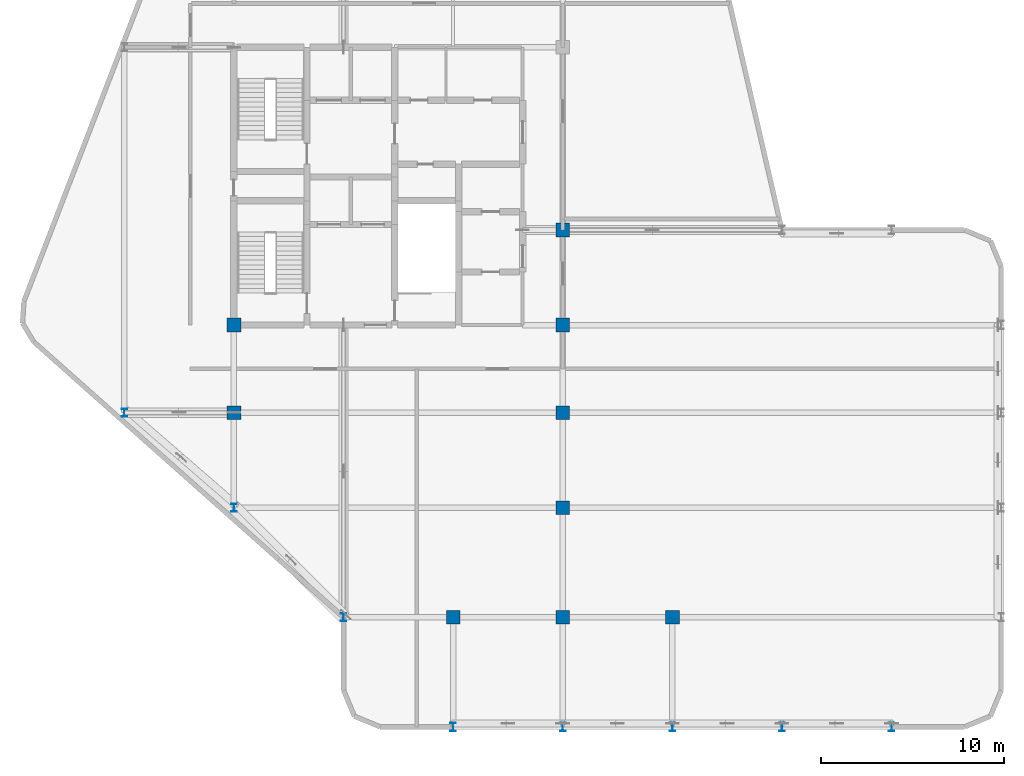
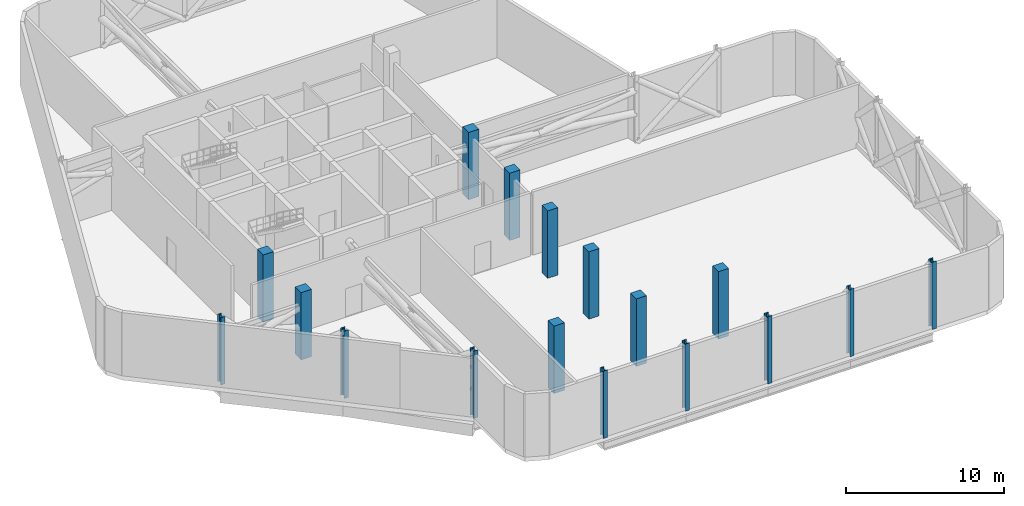
# One storey, part 1 of 12: 17 columns.
"""IFC4 building model written with IfcOpenShell, lengths in metres."""

from ifc_helpers import new_model, si_unit, direction, frame, origin, origin_2d, place, context, subcontext, project, spatial, rectangle, i_section, extrude, material, material_profile, profile_set, type_object, element, save


model = new_model("IFC4")

# Units and contexts
model_context = context("Model", 3, precision=1e-05, world=origin(), true_north=direction((0.0, 1.0)))
body_context = subcontext(model_context, "Body", "Model", "MODEL_VIEW")
ifc_project = project(units=[si_unit("LENGTHUNIT", "METRE"), si_unit("AREAUNIT", "SQUARE_METRE"), si_unit("VOLUMEUNIT", "CUBIC_METRE"), si_unit("PLANEANGLEUNIT", "RADIAN"), si_unit("MASSUNIT", "GRAM", prefix="KILO")], contexts=[model_context])

# Site, building, storey
site_placement = place(None, origin())
site = spatial("IfcSite", under=ifc_project, at=site_placement, CompositionType="ELEMENT")
building_placement = place(site_placement, origin())
building = spatial("IfcBuilding", under=site, at=building_placement, Name="Keshet Zoharim Tower", CompositionType="ELEMENT")
storey_placement = place(building_placement, frame((0.0, 0.0, 237.60009765625)))
storey = spatial("IfcBuildingStorey", under=building, at=storey_placement, Name="L59", CompositionType="ELEMENT", Elevation=237.60009765625)

# Columns
ifc_material_1 = material(Name="Steel S355", Category="steel")
ifc_material_profile_1 = material_profile(ifc_material_1, i_section(OverallWidth=0.300048828125, OverallDepth=0.449951171875, WebThickness=0.013916015625, FlangeThickness=0.02587890625, FilletRadius=0.027099609375, at=origin_2d()), Name="HEB450")
ifc_profile_set_1 = profile_set([ifc_material_profile_1], Name="Steel S355")
column_type_1 = type_object("IfcColumnType", Name="COL-HEB450", PredefinedType="COLUMN", material=ifc_profile_set_1)
for number, where, z_axis, x_axis, name in (
    (1, (9.0, 17.89990234375, 0.0), (0.0, 0.0, 1.0), (1.0, 0.0, 0.0), "L59 Column 2D"),
    (2, (15.0, 12.699951171875, 0.0), (0.0, 0.0, 1.0), (1.0, 0.0, 0.0), "L59 Column 3C"),
    (3, (21.0, 6.699951171875, 0.0), (0.0, 0.0, 1.0), (1.0, 0.0, 0.0), "L59 Column 4B"),
    (4, (27.0, 0.699951171875, 0.0), (0.0, 0.0, 1.0), (1.0, 0.0, 0.0), "L59 Column 5A"),
    (5, (33.0, 0.699951171875, 0.0), (0.0, 0.0, 1.0), (1.0, 0.0, 0.0), "L59 Column 6A"),
    (6, (39.0, 0.699951171875, 0.0), (0.0, 0.0, 1.0), (1.0, 0.0, 0.0), "L59 Column 7A"),
    (7, (45.0, 0.699951171875, 0.0), (0.0, 0.0, 1.0), (1.0, 0.0, 0.0), "L59 Column 8A"),
    (8, (51.0, 0.699951171875, 0.0), (0.0, 0.0, 1.0), (1.0, 0.0, 0.0), "L59 Column 9A"),
):
    element("IfcColumn", number, at=place(storey_placement, frame(where, z_axis=z_axis, x_axis=x_axis)), inside=storey, type_object=column_type_1, Name=name, PredefinedType="COLUMN", context=body_context, shape_type="SweptSolid", body=[
        extrude(i_section(OverallWidth=0.300048828125, OverallDepth=0.449951171875, WebThickness=0.013916015625, FlangeThickness=0.02587890625, FilletRadius=0.027099609375, at=origin_2d()), origin(), (0.0, 0.0, 1.0), 5.199951171875),
    ])
ifc_material_2 = material(Name="Concrete C50/60", Category="concrete")
ifc_material_profile_2 = material_profile(ifc_material_2, rectangle(XDim=0.75, YDim=0.75, at=origin_2d()), Name="RC750x750")
ifc_profile_set_2 = profile_set([ifc_material_profile_2], Name="Concrete C50/60")
column_type_2 = type_object("IfcColumnType", Name="COL-RC750", PredefinedType="COLUMN", material=ifc_profile_set_2)
for number, where, z_axis, x_axis, name in (
    (9, (15.0, 17.89990234375, 0.0), (0.0, 0.0, 1.0), (1.0, 0.0, 0.0), "L59 Column 3D"),
    (10, (15.0, 22.699951171875, 0.0), (0.0, 0.0, 1.0), (1.0, 0.0, 0.0), "L59 Column 3E"),
    (11, (27.0, 6.699951171875, 0.0), (0.0, 0.0, 1.0), (1.0, 0.0, 0.0), "L59 Column 5B"),
    (12, (33.0, 6.699951171875, 0.0), (0.0, 0.0, 1.0), (1.0, 0.0, 0.0), "L59 Column 6B"),
    (13, (33.0, 12.699951171875, 0.0), (0.0, 0.0, 1.0), (1.0, 0.0, 0.0), "L59 Column 6C"),
    (14, (33.0, 17.89990234375, 0.0), (0.0, 0.0, 1.0), (1.0, 0.0, 0.0), "L59 Column 6D"),
    (15, (33.0, 22.699951171875, 0.0), (0.0, 0.0, 1.0), (1.0, 0.0, 0.0), "L59 Column 6E"),
    (16, (33.0, 27.89990234375, 0.0), (0.0, 0.0, 1.0), (1.0, 0.0, 0.0), "L59 Column 6F"),
    (17, (39.0, 6.699951171875, 0.0), (0.0, 0.0, 1.0), (1.0, 0.0, 0.0), "L59 Column 7B"),
):
    element("IfcColumn", number, at=place(storey_placement, frame(where, z_axis=z_axis, x_axis=x_axis)), inside=storey, type_object=column_type_2, Name=name, PredefinedType="COLUMN", context=body_context, shape_type="SweptSolid", body=[
        extrude(rectangle(XDim=0.75, YDim=0.75, at=origin_2d()), origin(), (0.0, 0.0, 1.0), 5.199951171875),
    ])

save(model, "model.ifc")
